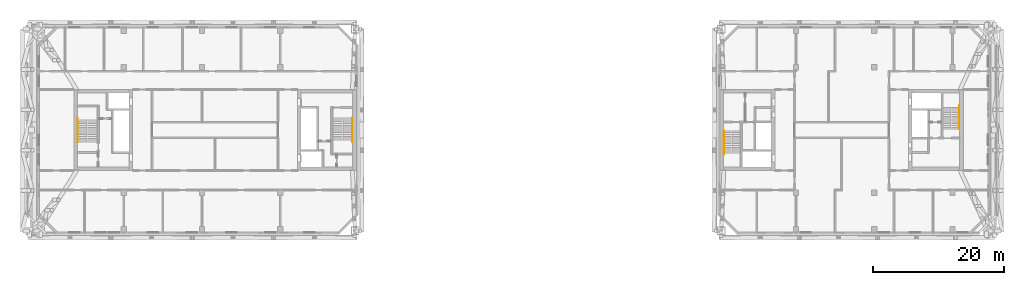
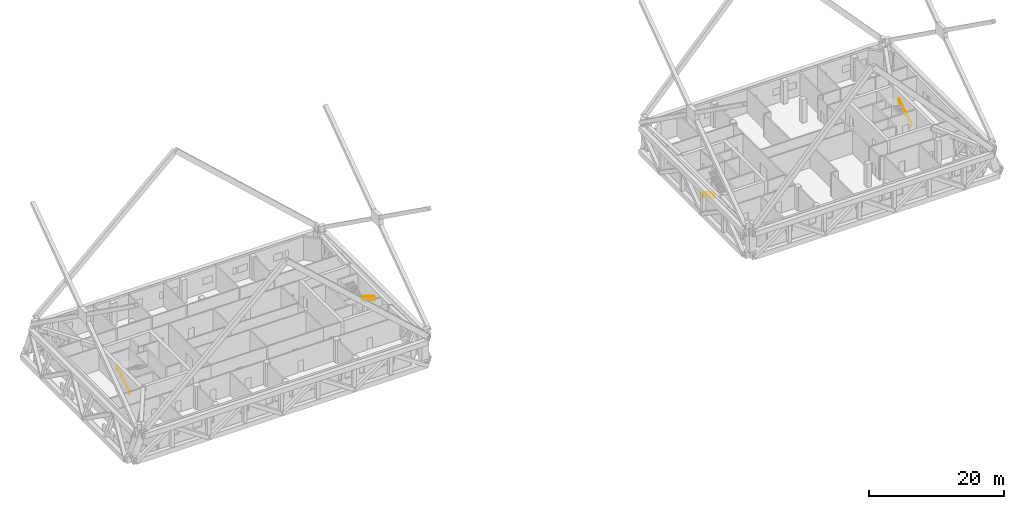
# One storey, part 22 of 22: 4 railings.
"""IFC4 building model written with IfcOpenShell, lengths in metres."""

from ifc_helpers import new_model, si_unit, direction, frame, origin, origin_2d, place, context, subcontext, project, spatial, circle, extrude, material, type_object, element, save


model = new_model("IFC4")

# Units and contexts
model_context = context("Model", 3, precision=1e-05, world=origin(), true_north=direction((0.0, 1.0)))
body_context = subcontext(model_context, "Body", "Model", "MODEL_VIEW")
ifc_project = project(units=[si_unit("LENGTHUNIT", "METRE"), si_unit("AREAUNIT", "SQUARE_METRE"), si_unit("VOLUMEUNIT", "CUBIC_METRE"), si_unit("PLANEANGLEUNIT", "RADIAN"), si_unit("MASSUNIT", "GRAM", prefix="KILO")], contexts=[model_context])

# Site, building, storey
site_placement = place(None, origin())
site = spatial("IfcSite", under=ifc_project, at=site_placement, CompositionType="ELEMENT")
building_placement = place(site_placement, origin())
building = spatial("IfcBuilding", under=site, at=building_placement, Name="Tuart Gate Housing", CompositionType="ELEMENT")
storey_placement = place(building_placement, frame((0.0, 0.0, 115.0)))
storey = spatial("IfcBuildingStorey", under=building, at=storey_placement, Name="L32", CompositionType="ELEMENT", Elevation=115.0)

# Railings
ifc_material = material(Name="Stainless steel", Category="steel")
railing_type = type_object("IfcRailingType", Name="Stair handrail 900", PredefinedType="HANDRAIL", material=ifc_material)
railing_1_placement = place(storey_placement, frame((75.030029296875, 71.824951171875, 0.173095703125)))
element("IfcRailing", 1, at=railing_1_placement, inside=storey, type_object=railing_type, Name="Stair handrail SA1.1", PredefinedType="HANDRAIL", context=body_context, shape_type="SweptSolid", body=[
    extrude(circle(Radius=0.02392578125, at=origin_2d()), frame((0.0, 0.0, 0.8759765625), z_axis=(0.0, -0.850606129759, 0.525803396734), x_axis=(1.0, 0.0, 0.0)), (0.0, 0.0, 1.0), 3.949951171875),
    extrude(circle(Radius=0.02392578125, at=origin_2d()), frame((0.0, -3.35986328125, 2.95263671875), z_axis=(0.0, -1.0, 0.0), x_axis=(1.0, 0.0, 0.0)), (0.0, 0.0, 1.0), 0.300048828125),
    extrude(circle(Radius=0.02099609375, at=origin_2d()), origin(), (0.0, 0.0, 1.0), 0.851806640625),
    extrude(circle(Radius=0.02099609375, at=origin_2d()), frame((0.0, -0.83984375, 0.519287109375)), (0.0, 0.0, 1.0), 0.851806640625),
    extrude(circle(Radius=0.02099609375, at=origin_2d()), frame((0.0, -1.679931640625, 1.03857421875)), (0.0, 0.0, 1.0), 0.851806640625),
    extrude(circle(Radius=0.02099609375, at=origin_2d()), frame((0.0, -2.52001953125, 1.5576171875)), (0.0, 0.0, 1.0), 0.851806640625),
    extrude(circle(Radius=0.02099609375, at=origin_2d()), frame((0.0, -3.35986328125, 2.076904296875)), (0.0, 0.0, 1.0), 0.851806640625),
    extrude(circle(Radius=0.02099609375, at=origin_2d()), frame((0.0, -3.659912109375, 2.076904296875)), (0.0, 0.0, 1.0), 0.851806640625),
])
railing_2_placement = place(storey_placement, frame((32.969970703125, 68.175048828125, 0.173095703125)))
element("IfcRailing", 2, at=railing_2_placement, inside=storey, type_object=railing_type, Name="Stair handrail SA2.1", PredefinedType="HANDRAIL", context=body_context, shape_type="SweptSolid", body=[
    extrude(circle(Radius=0.02392578125, at=origin_2d()), frame((0.0, 0.0, 0.8759765625), z_axis=(0.0, 0.850606129759, 0.525803396734), x_axis=(-1.0, 0.0, 0.0)), (0.0, 0.0, 1.0), 3.949951171875),
    extrude(circle(Radius=0.02392578125, at=origin_2d()), frame((0.0, 3.35986328125, 2.95263671875), z_axis=(0.0, 1.0, 0.0), x_axis=(-1.0, 0.0, 0.0)), (0.0, 0.0, 1.0), 0.300048828125),
    extrude(circle(Radius=0.02099609375, at=origin_2d()), origin(), (0.0, 0.0, 1.0), 0.851806640625),
    extrude(circle(Radius=0.02099609375, at=origin_2d()), frame((0.0, 0.83984375, 0.519287109375)), (0.0, 0.0, 1.0), 0.851806640625),
    extrude(circle(Radius=0.02099609375, at=origin_2d()), frame((0.0, 1.679931640625, 1.03857421875)), (0.0, 0.0, 1.0), 0.851806640625),
    extrude(circle(Radius=0.02099609375, at=origin_2d()), frame((0.0, 2.52001953125, 1.5576171875)), (0.0, 0.0, 1.0), 0.851806640625),
    extrude(circle(Radius=0.02099609375, at=origin_2d()), frame((0.0, 3.35986328125, 2.076904296875)), (0.0, 0.0, 1.0), 0.851806640625),
    extrude(circle(Radius=0.02099609375, at=origin_2d()), frame((0.0, 3.659912109375, 2.076904296875)), (0.0, 0.0, 1.0), 0.851806640625),
])
railing_3_placement = place(storey_placement, frame((131.969970703125, 69.875, 0.173095703125)))
element("IfcRailing", 3, at=railing_3_placement, inside=storey, type_object=railing_type, Name="Stair handrail SB1.1", PredefinedType="HANDRAIL", context=body_context, shape_type="SweptSolid", body=[
    extrude(circle(Radius=0.02392578125, at=origin_2d()), frame((0.0, 0.0, 0.8759765625), z_axis=(0.0, -0.850623216509, 0.525775754039), x_axis=(1.0, 0.0, 0.0)), (0.0, 0.0, 1.0), 3.9501953125),
    extrude(circle(Radius=0.02392578125, at=origin_2d()), frame((0.0, -3.360107421875, 2.95263671875), z_axis=(0.0, -1.0, 0.0), x_axis=(1.0, 0.0, 0.0)), (0.0, 0.0, 1.0), 0.2998046875),
    extrude(circle(Radius=0.02099609375, at=origin_2d()), origin(), (0.0, 0.0, 1.0), 0.851806640625),
    extrude(circle(Radius=0.02099609375, at=origin_2d()), frame((0.0, -0.840087890625, 0.519287109375)), (0.0, 0.0, 1.0), 0.851806640625),
    extrude(circle(Radius=0.02099609375, at=origin_2d()), frame((0.0, -1.68017578125, 1.03857421875)), (0.0, 0.0, 1.0), 0.851806640625),
    extrude(circle(Radius=0.02099609375, at=origin_2d()), frame((0.0, -2.52001953125, 1.5576171875)), (0.0, 0.0, 1.0), 0.851806640625),
    extrude(circle(Radius=0.02099609375, at=origin_2d()), frame((0.0, -3.360107421875, 2.076904296875)), (0.0, 0.0, 1.0), 0.851806640625),
    extrude(circle(Radius=0.02099609375, at=origin_2d()), frame((0.0, -3.659912109375, 2.076904296875)), (0.0, 0.0, 1.0), 0.851806640625),
])
railing_4_placement = place(storey_placement, frame((168.030029296875, 70.125, 0.173095703125)))
element("IfcRailing", 4, at=railing_4_placement, inside=storey, type_object=railing_type, Name="Stair handrail SB2.1", PredefinedType="HANDRAIL", context=body_context, shape_type="SweptSolid", body=[
    extrude(circle(Radius=0.02392578125, at=origin_2d()), frame((0.0, 0.0, 0.8759765625), z_axis=(0.0, 0.850623216509, 0.525775754039), x_axis=(-1.0, 0.0, 0.0)), (0.0, 0.0, 1.0), 3.9501953125),
    extrude(circle(Radius=0.02392578125, at=origin_2d()), frame((0.0, 3.360107421875, 2.95263671875), z_axis=(0.0, 1.0, 0.0), x_axis=(-1.0, 0.0, 0.0)), (0.0, 0.0, 1.0), 0.2998046875),
    extrude(circle(Radius=0.02099609375, at=origin_2d()), origin(), (0.0, 0.0, 1.0), 0.851806640625),
    extrude(circle(Radius=0.02099609375, at=origin_2d()), frame((0.0, 0.840087890625, 0.519287109375)), (0.0, 0.0, 1.0), 0.851806640625),
    extrude(circle(Radius=0.02099609375, at=origin_2d()), frame((0.0, 1.68017578125, 1.03857421875)), (0.0, 0.0, 1.0), 0.851806640625),
    extrude(circle(Radius=0.02099609375, at=origin_2d()), frame((0.0, 2.52001953125, 1.5576171875)), (0.0, 0.0, 1.0), 0.851806640625),
    extrude(circle(Radius=0.02099609375, at=origin_2d()), frame((0.0, 3.360107421875, 2.076904296875)), (0.0, 0.0, 1.0), 0.851806640625),
    extrude(circle(Radius=0.02099609375, at=origin_2d()), frame((0.0, 3.659912109375, 2.076904296875)), (0.0, 0.0, 1.0), 0.851806640625),
])

save(model, "model.ifc")
